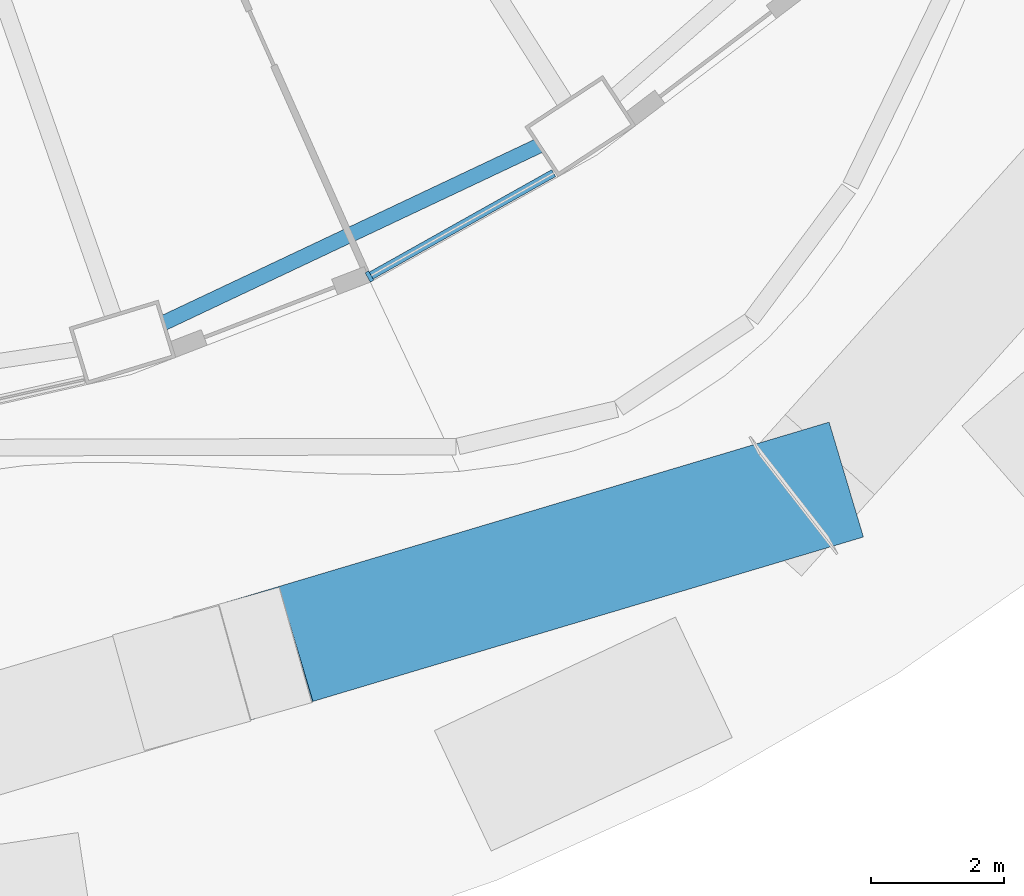
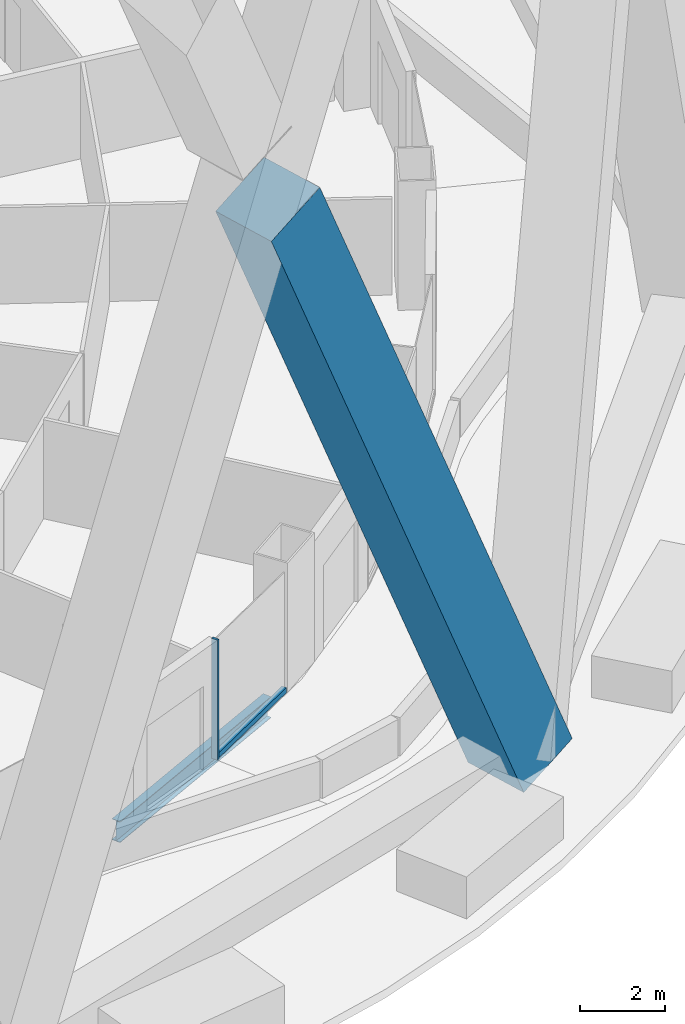
# One storey, part 10 of 42: 3 members, 1 beam, 1 element without a shape of its own.
"""IFC4 building model written with IfcOpenShell, lengths in metres."""

import ifcopenshell
import ifcopenshell.guid

model = None  # the IFC model being written
_history = None  # IfcOwnerHistory: only IFC2X3 demands one
_inside = {}  # id of a spatial element -> (the spatial element, [elements in it])
_under = {}  # id of a project, library or spatial element -> (it, [spatial elements below it])
_declared = {}  # id of a project -> (the project, [libraries it declares])
_typed = {}  # id of a type object -> (the type object, [elements of that type])
_made_of = {}  # id of a material, layer set ... -> (it, [elements and type objects made of it])


def new_model(schema):
    """Start an empty IFC model of exactly this schema.

    Asked for "IFC4X3", IfcOpenShell would pick the latest addendum, in which some entities
    have other attributes; the version numbers below select the first issue.
    IFC2X3 requires an IfcOwnerHistory on every rooted entity: one is made here for all.
    """
    global model, _history
    if schema == "IFC4X3":
        model = ifcopenshell.file(schema_version=(4, 3, 0, 0))
    else:
        model = ifcopenshell.file(schema=schema)
    _inside.clear()
    _under.clear()
    _declared.clear()
    _typed.clear()
    _made_of.clear()
    _history = None
    if model.schema == "IFC2X3":
        org = make("IfcOrganization", Name="unknown")
        user = make(
            "IfcPersonAndOrganization",
            ThePerson=make("IfcPerson", FamilyName="unknown"),
            TheOrganization=org,
        )
        app = make(
            "IfcApplication",
            ApplicationDeveloper=org,
            Version="unknown",
            ApplicationFullName="unknown",
            ApplicationIdentifier="unknown",
        )
        _history = make(
            "IfcOwnerHistory",
            OwningUser=user,
            OwningApplication=app,
            ChangeAction="ADDED",
            CreationDate=0,
        )
    return model


def make(cls, **values):
    """One entity of the class cls with the attributes given. An attribute that is None is left unset."""
    return model.create_entity(
        cls, **{name: value for name, value in values.items() if value is not None}
    )


def rooted(cls, **values):
    """An entity with a GlobalId (a new one), such as an element, a storey or a relation."""
    return make(cls, GlobalId=ifcopenshell.guid.new(), OwnerHistory=_history, **values)


def si_unit(unit_type, name, prefix=None):
    """IfcSIUnit, for example si_unit("LENGTHUNIT", "METRE", prefix="MILLI")."""
    return make("IfcSIUnit", UnitType=unit_type, Prefix=prefix, Name=name)


def assignment(units):
    """IfcUnitAssignment: the units of a project."""
    return None if units is None else make("IfcUnitAssignment", Units=units)


def point(xyz):
    """IfcCartesianPoint."""
    return None if xyz is None else make("IfcCartesianPoint", Coordinates=xyz)


def direction(xyz):
    """IfcDirection."""
    return None if xyz is None else make("IfcDirection", DirectionRatios=xyz)


def frame(location, z_axis=None, x_axis=None):
    """IfcAxis2Placement3D, a coordinate frame: its origin and axes. An axis left out is left unset."""
    return make(
        "IfcAxis2Placement3D",
        Location=point(location),
        Axis=direction(z_axis),
        RefDirection=direction(x_axis),
    )


def frame_2d(location, x_axis=None):
    """IfcAxis2Placement2D, a coordinate frame in the plane: its origin and x axis."""
    return make(
        "IfcAxis2Placement2D", Location=point(location), RefDirection=direction(x_axis)
    )


def origin():
    """The frame at (0, 0, 0) with its axes left unset."""
    return frame((0.0, 0.0, 0.0))


def origin_2d():
    """The frame at (0, 0) in the plane with its x axis left unset."""
    return frame_2d((0.0, 0.0))


def place(relative_to, where):
    """IfcLocalPlacement: puts the frame where relative to a parent placement (None: the world)."""
    return make(
        "IfcLocalPlacement", PlacementRelTo=relative_to, RelativePlacement=where
    )


def context(
    kind, dimensions, precision=None, world=None, true_north=None, identifier=None
):
    """IfcGeometricRepresentationContext, for example the 3D "Model" context."""
    return make(
        "IfcGeometricRepresentationContext",
        ContextIdentifier=identifier,
        ContextType=kind,
        CoordinateSpaceDimension=dimensions,
        Precision=precision,
        WorldCoordinateSystem=world,
        TrueNorth=true_north,
    )


def subcontext(parent, identifier, kind, view, scale=None):
    """IfcGeometricRepresentationSubContext, for example "Body" below "Model"."""
    return make(
        "IfcGeometricRepresentationSubContext",
        ContextIdentifier=identifier,
        ContextType=kind,
        ParentContext=parent,
        TargetScale=scale,
        TargetView=view,
    )


def project(units=None, contexts=None):
    """IfcProject with its units and contexts."""
    return rooted(
        "IfcProject",
        Name="project",
        RepresentationContexts=contexts,
        UnitsInContext=assignment(units),
    )


def spatial(cls, under=None, at=None, **own):
    """A site, building, storey or space (cls), placed at a placement, below another one or the project."""
    s = rooted(cls, ObjectPlacement=at, **own)
    if under is not None:
        _under.setdefault(under.id(), (under, []))[1].append(s)
    return s


def profile(cls, at=None, kind="AREA", **sizes):
    """A parametric profile (cls). Its sizes go by their IFC names, for example OverallWidth=200.0."""
    return make(cls, ProfileType=kind, Position=at, **sizes)


def rectangle(**sizes):
    """IfcRectangleProfileDef."""
    return profile("IfcRectangleProfileDef", **sizes)


def i_section(**sizes):
    """IfcIShapeProfileDef."""
    return profile("IfcIShapeProfileDef", **sizes)


def extrude(swept, where, along, depth):
    """IfcExtrudedAreaSolid: the profile swept, set in the frame where, extruded along a direction by depth."""
    return make(
        "IfcExtrudedAreaSolid",
        SweptArea=swept,
        Position=where,
        ExtrudedDirection=direction(along),
        Depth=depth,
    )


def shape(context_of_items, identifier, shape_type, items):
    """IfcShapeRepresentation: the items that make up one representation, for example the "Body"."""
    return make(
        "IfcShapeRepresentation",
        ContextOfItems=context_of_items,
        RepresentationIdentifier=identifier,
        RepresentationType=shape_type,
        Items=items,
    )


def material(Name=None, Category=None):
    """IfcMaterial."""
    return make("IfcMaterial", Name=Name, Category=Category)


def layer(
    of_material, thickness, ventilated=None, Name=None, Category=None, Priority=None
):
    """IfcMaterialLayer: one layer of a wall or slab, of a material (None: an air gap)."""
    return make(
        "IfcMaterialLayer",
        Material=of_material,
        LayerThickness=thickness,
        IsVentilated=ventilated,
        Name=Name,
        Category=Category,
        Priority=Priority,
    )


def layer_set(layers, Name=None):
    """IfcMaterialLayerSet."""
    return make("IfcMaterialLayerSet", MaterialLayers=layers, LayerSetName=Name)


def material_profile(
    of_material, cross_section, Name=None, Category=None, Priority=None
):
    """IfcMaterialProfile: a cross section and its material."""
    return make(
        "IfcMaterialProfile",
        Name=Name,
        Material=of_material,
        Profile=cross_section,
        Priority=Priority,
        Category=Category,
    )


def profile_set(profiles, Name=None, composite=None):
    """IfcMaterialProfileSet."""
    return make(
        "IfcMaterialProfileSet",
        Name=Name,
        MaterialProfiles=profiles,
        CompositeProfile=composite,
    )


def made_of(thing, what):
    """Note that an element or type object is made of a material, layer set ...; save() writes the relation."""
    if what is not None:
        _made_of.setdefault(what.id(), (what, []))[1].append(thing)
    return thing


def type_object(cls, material=None, **own):
    """A type object (cls), such as IfcWallType, which elements share."""
    return made_of(rooted(cls, **own), material)


def element(
    cls,
    number,
    at=None,
    inside=None,
    cuts=None,
    type_object=None,
    material=None,
    context=None,
    identifier="Body",
    shape_type=None,
    held_by="IfcProductDefinitionShape",
    body=None,
    shapes=None,
    **own,
):
    """One element of the class cls, such as IfcWall. Its Tag is "e" and its number.

    at: its placement. inside: the storey or other place that contains it. cuts: it is an
    opening in that element (IfcRelVoidsElement). A single representation is given by context,
    identifier, shape_type and body (its items); several are given by shapes. held_by: the class
    of the entity that holds the representations. save() writes the other relations.
    """
    e = rooted(cls, Tag="e%d" % number, ObjectPlacement=at, **own)
    if body is not None:
        shapes = [shape(context, identifier, shape_type, body)]
    if shapes is not None:
        e.Representation = make(held_by, Representations=shapes)
    if inside is not None:
        _inside.setdefault(inside.id(), (inside, []))[1].append(e)
    if cuts is not None:
        rooted(
            "IfcRelVoidsElement", RelatingBuildingElement=cuts, RelatedOpeningElement=e
        )
    if type_object is not None:
        _typed.setdefault(type_object.id(), (type_object, []))[1].append(e)
    return made_of(e, material)


def aggregate(whole, parts):
    """IfcRelAggregates: a whole, such as a stair, and the parts it consists of."""
    return rooted("IfcRelAggregates", RelatingObject=whole, RelatedObjects=parts)


def save(model, path):
    """Write the relations noted so far, then the file.

    IfcRelAggregates (storeys below a building ...), IfcRelContainedInSpatialStructure (elements
    in a storey), IfcRelDefinesByType, IfcRelAssociatesMaterial and IfcRelDeclares: one each for
    every whole, place, type object, material and project.
    """
    for whole, parts in _under.values():
        aggregate(whole, parts)
    for where, things in _inside.values():
        rooted(
            "IfcRelContainedInSpatialStructure",
            RelatedElements=things,
            RelatingStructure=where,
        )
    for kind, things in _typed.values():
        rooted("IfcRelDefinesByType", RelatedObjects=things, RelatingType=kind)
    for what, things in _made_of.values():
        rooted("IfcRelAssociatesMaterial", RelatedObjects=things, RelatingMaterial=what)
    for by, libraries in _declared.values():
        rooted("IfcRelDeclares", RelatingContext=by, RelatedDefinitions=libraries)
    model.write(path)


model = new_model("IFC4")

# Units and contexts
model_context = context("Model", 3, precision=1e-05, world=origin(), true_north=direction((0.0, 1.0)))
body_context = subcontext(model_context, "Body", "Model", "MODEL_VIEW")
ifc_project = project(units=[si_unit("LENGTHUNIT", "METRE"), si_unit("AREAUNIT", "SQUARE_METRE"), si_unit("VOLUMEUNIT", "CUBIC_METRE"), si_unit("PLANEANGLEUNIT", "RADIAN"), si_unit("MASSUNIT", "GRAM", prefix="KILO")], contexts=[model_context])

# Site, building, storey
site_placement = place(None, origin())
site = spatial("IfcSite", under=ifc_project, at=site_placement, CompositionType="ELEMENT")
building_placement = place(site_placement, origin())
building = spatial("IfcBuilding", under=site, at=building_placement, Name="Nagisa Residences", CompositionType="ELEMENT")
storey_placement = place(building_placement, frame((0.0, 0.0, 27.0)))
storey = spatial("IfcBuildingStorey", under=building, at=storey_placement, Name="L05", CompositionType="ELEMENT", Elevation=27.0)

# Curtain wall, members
ifc_material_1 = material(Name="Concrete-coloured aluminium curtain wall system", Category="concrete")
ifc_layer = layer(ifc_material_1, 0.159912109375)
ifc_layer_set = layer_set([ifc_layer], Name="CW1 CURTAIN WALL")
curtain_wall_type = type_object("IfcCurtainWallType", Name="CW1 CURTAIN WALL", PredefinedType="NOTDEFINED", material=ifc_layer_set)
curtain_wall_placement = place(storey_placement, origin())
curtain_wall = element("IfcCurtainWall", 1, at=curtain_wall_placement, inside=storey, type_object=curtain_wall_type, Name="cw:CW1:L05:39", PredefinedType="NOTDEFINED")
ifc_material_2 = material(Name="Concrete-coloured aluminium", Category="concrete")
ifc_material_profile_1 = material_profile(ifc_material_2, rectangle(XDim=0.159912109375, YDim=0.06005859375, at=origin_2d()), Name="CW1 MULLION 160x60")
ifc_profile_set_1 = profile_set([ifc_material_profile_1], Name="Concrete-coloured aluminium")
member_type_1 = type_object("IfcMemberType", Name="CW1 MULLION 160x60", PredefinedType="MULLION", material=ifc_profile_set_1)
member_1_placement = place(storey_placement, frame((14.684814453125, -30.403564453125, 0.0), z_axis=(0.0, 0.0, 1.0), x_axis=(-0.489376918501, 0.872072377523, 0.0)))
member_1 = element("IfcMember", 2, at=member_1_placement, type_object=member_type_1, Name="CW1 mullion", PredefinedType="MULLION", context=body_context, shape_type="SweptSolid", body=[
    extrude(rectangle(XDim=0.159912109375, YDim=0.06005859375, at=origin_2d()), origin(), (0.0, 0.0, 1.0), 3.43994140625),
])
ifc_material_3 = material(Name="Concrete-coloured aluminium", Category="concrete")
ifc_material_profile_2 = material_profile(ifc_material_3, rectangle(XDim=0.1201171875, YDim=0.14990234375, at=origin_2d()), Name="CW1 TRANSOM 120x150")
ifc_profile_set_2 = profile_set([ifc_material_profile_2], Name="Concrete-coloured aluminium")
member_type_2 = type_object("IfcMemberType", Name="CW1 TRANSOM 120x150", PredefinedType="USERDEFINED", material=ifc_profile_set_2)
member_2_placement = place(storey_placement, frame((14.65869140625, -30.418212890625, 0.074951171875), z_axis=(0.872070011948, 0.489381133946, 0.0), x_axis=(-0.489381133946, 0.872070011948, 0.0)))
member_2 = element("IfcMember", 3, at=member_2_placement, type_object=member_type_2, Name="CW1 transom", ObjectType="TRANSOM", PredefinedType="USERDEFINED", context=body_context, shape_type="SweptSolid", body=[
    extrude(rectangle(XDim=0.1201171875, YDim=0.14990234375, at=origin_2d()), origin(), (0.0, 0.0, 1.0), 3.201171875),
])
aggregate(curtain_wall, [member_1, member_2])

# Member
ifc_material_4 = material(Name="Concrete C80", Category="concrete")
ifc_material_profile_3 = material_profile(ifc_material_4, rectangle(XDim=1.800048828125, YDim=1.800048828125, at=origin_2d()), Name="C80 1800x1800")
ifc_profile_set_3 = profile_set([ifc_material_profile_3], Name="Concrete C80")
member_type_3 = type_object("IfcMemberType", Name="Cage diagonal 1 C80 1800x1800", PredefinedType="BRACE", material=ifc_profile_set_3)
member_3_placement = place(storey_placement, frame((21.050048828125, -33.6884765625, 0.0), z_axis=(-0.376652868773, -0.112490659727, 0.919499030951), x_axis=(0.286168588266, -0.958179283375, 0.0)))
element("IfcMember", 4, at=member_3_placement, inside=storey, type_object=member_type_3, Name="mem:L05:cg1d120a", PredefinedType="BRACE", context=body_context, shape_type="SweptSolid", body=[
    extrude(rectangle(XDim=1.800048828125, YDim=1.800048828125, at=origin_2d()), origin(), (0.0, 0.0, 1.0), 21.939697265625),
])

# Beam
ifc_material_5 = material(Name="Steel ASTM A572 Gr 50", Category="steel")
ifc_material_profile_4 = material_profile(ifc_material_5, i_section(OverallWidth=0.22802734375, OverallDepth=0.60302734375, WebThickness=0.010498046875, FlangeThickness=0.014892578125, at=origin_2d()), Name="W610x101")
ifc_profile_set_4 = profile_set([ifc_material_profile_4], Name="Steel ASTM A572 Gr 50")
beam_type = type_object("IfcBeamType", Name="Perimeter ring beam W610x101", PredefinedType="BEAM", material=ifc_profile_set_4)
beam_placement = place(storey_placement, frame((11.597900390625, -31.098876953125, -0.5615234375), z_axis=(0.904215426643, 0.427076646774, 0.0), x_axis=(-0.427076646774, 0.904215426643, 0.0)))
element("IfcBeam", 5, at=beam_placement, inside=storey, type_object=beam_type, Name="beam:L05:pb20", PredefinedType="BEAM", context=body_context, shape_type="SweptSolid", body=[
    extrude(i_section(OverallWidth=0.22802734375, OverallDepth=0.60302734375, WebThickness=0.010498046875, FlangeThickness=0.014892578125, at=origin_2d()), origin(), (0.0, 0.0, 1.0), 6.2275390625),
])

save(model, "model.ifc")
